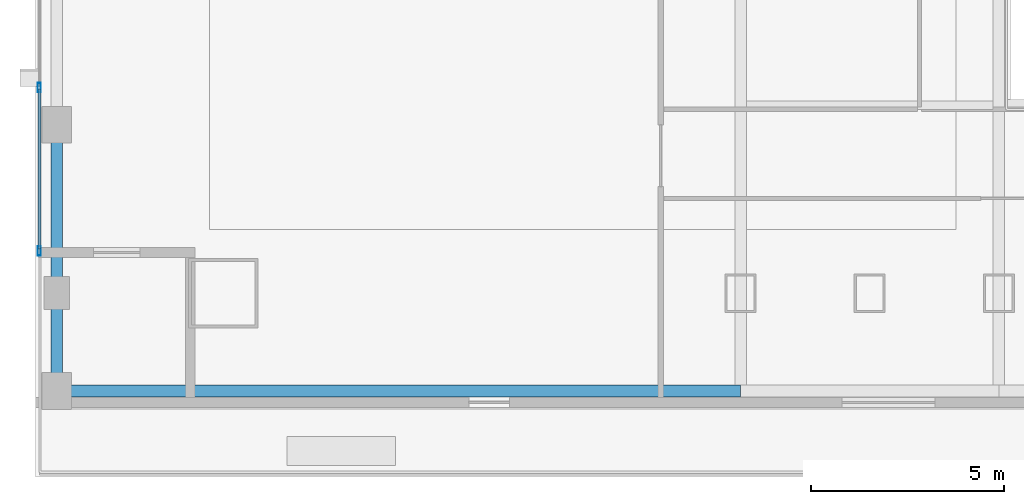
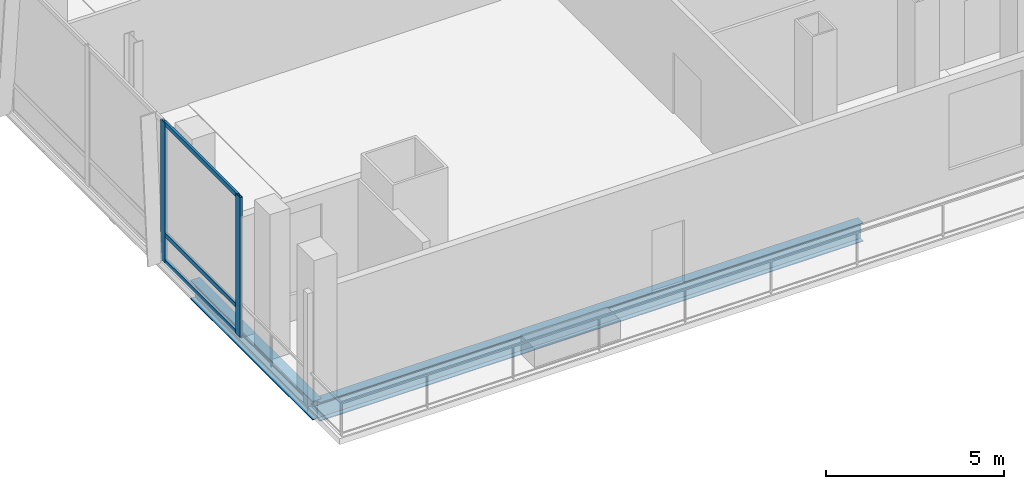
# One storey, part 5 of 25: 5 members, 2 beams, 1 element without a shape of its own.
"""IFC4 building model written with IfcOpenShell, lengths in metres."""

from ifc_helpers import new_model, si_unit, direction, frame, origin, origin_2d, place, context, subcontext, project, spatial, hollow_rectangle, i_section, extrude, material, material_profile, profile_set, type_object, element, aggregate, save


model = new_model("IFC4")

# Units and contexts
model_context = context("Model", 3, precision=1e-05, world=origin(), true_north=direction((0.0, 1.0)))
body_context = subcontext(model_context, "Body", "Model", "MODEL_VIEW")
ifc_project = project(units=[si_unit("LENGTHUNIT", "METRE"), si_unit("AREAUNIT", "SQUARE_METRE"), si_unit("VOLUMEUNIT", "CUBIC_METRE"), si_unit("PLANEANGLEUNIT", "RADIAN"), si_unit("MASSUNIT", "GRAM", prefix="KILO")], contexts=[model_context])

# Site, building, storey
site_placement = place(None, origin())
site = spatial("IfcSite", under=ifc_project, at=site_placement, CompositionType="ELEMENT")
building_placement = place(site_placement, origin())
building = spatial("IfcBuilding", under=site, at=building_placement, Name="Khoronbel Lancet Exchange", CompositionType="ELEMENT")
storey_placement = place(building_placement, frame((0.0, 0.0, 10.39990234375)))
storey = spatial("IfcBuildingStorey", under=building, at=storey_placement, Name="L02", CompositionType="ELEMENT", Elevation=10.39990234375)

# Beams
ifc_material_1 = material(Name="Steel S355", Category="steel")
ifc_material_profile_1 = material_profile(ifc_material_1, i_section(OverallWidth=0.300048828125, OverallDepth=0.64990234375, WebThickness=0.01611328125, FlangeThickness=0.031005859375, at=origin_2d()), Name="HEB 650")
ifc_profile_set_1 = profile_set([ifc_material_profile_1], Name="Steel S355")
beam_type = type_object("IfcBeamType", Name="BM-BSP1", PredefinedType="SPANDREL", material=ifc_profile_set_1)
beam_1_placement = place(storey_placement, frame((0.550048828125, 7.6201171875, -0.52490234375), z_axis=(1.0, 0.0, 0.0), x_axis=(0.0, 1.0, 0.0)))
element("IfcBeam", 1, at=beam_1_placement, inside=storey, type_object=beam_type, Name="Level L02 perimeter spandrel beam SP01", PredefinedType="SPANDREL", context=body_context, shape_type="SweptSolid", body=[
    extrude(i_section(OverallWidth=0.300048828125, OverallDepth=0.64990234375, WebThickness=0.01611328125, FlangeThickness=0.031005859375, at=origin_2d()), origin(), (0.0, 0.0, 1.0), 17.675048828125),
])
beam_2_placement = place(storey_placement, frame((0.550048828125, 14.5, -0.52490234375), z_axis=(0.0, -1.0, 0.0), x_axis=(1.0, 0.0, 0.0)))
element("IfcBeam", 2, at=beam_2_placement, inside=storey, type_object=beam_type, Name="Level L02 perimeter spandrel beam SP19", PredefinedType="SPANDREL", context=body_context, shape_type="SweptSolid", body=[
    extrude(i_section(OverallWidth=0.300048828125, OverallDepth=0.64990234375, WebThickness=0.01611328125, FlangeThickness=0.031005859375, at=origin_2d()), origin(), (0.0, 0.0, 1.0), 6.8798828125),
])

# Curtain wall, members
ifc_material_2 = material(Name="Low-E Solar Control Insulating Glass", Category="glass")
curtain_wall_type = type_object("IfcCurtainWallType", Name="CW-5", PredefinedType="NOTDEFINED", material=ifc_material_2)
curtain_wall_placement = place(storey_placement, origin())
curtain_wall = element("IfcCurtainWall", 3, at=curtain_wall_placement, inside=storey, type_object=curtain_wall_type, Name="Unitised curtain wall CW-L02-WEST", PredefinedType="NOTDEFINED")
ifc_material_3 = material(Name="Bronze-Anodised Aluminium 6063-T6", Category="aluminium")
ifc_material_profile_2 = material_profile(ifc_material_3, hollow_rectangle(XDim=0.0849609375, YDim=0.239990234375, WallThickness=0.006103515625, at=origin_2d()), Name="ALU MULLION 85x240")
ifc_profile_set_2 = profile_set([ifc_material_profile_2], Name="Bronze-Anodised Aluminium 6063-T6")
member_type_1 = type_object("IfcMemberType", Name="MEM-CWM1", PredefinedType="MULLION", material=ifc_profile_set_2)
member_1_placement = place(storey_placement, frame((0.10009765625, 15.466552734375, 0.0), z_axis=(0.0, 0.0, 1.0), x_axis=(1.0, 0.0, 0.0)))
member_1 = element("IfcMember", 4, at=member_1_placement, type_object=member_type_1, Name="CW5 mullion 9", PredefinedType="MULLION", context=body_context, shape_type="SweptSolid", body=[
    extrude(hollow_rectangle(XDim=0.0849609375, YDim=0.239990234375, WallThickness=0.006103515625, at=origin_2d()), origin(), (0.0, 0.0, 1.0), 4.800048828125),
])
member_2_placement = place(storey_placement, frame((0.10009765625, 11.242431640625, 0.0), z_axis=(0.0, 0.0, 1.0), x_axis=(1.0, 0.0, 0.0)))
member_2 = element("IfcMember", 5, at=member_2_placement, type_object=member_type_1, Name="CW5 mullion 10", PredefinedType="MULLION", context=body_context, shape_type="SweptSolid", body=[
    extrude(hollow_rectangle(XDim=0.0849609375, YDim=0.239990234375, WallThickness=0.006103515625, at=origin_2d()), origin(), (0.0, 0.0, 1.0), 4.800048828125),
])
ifc_material_profile_3 = material_profile(ifc_material_3, hollow_rectangle(XDim=0.074951171875, YDim=0.14990234375, WallThickness=0.00439453125, at=origin_2d()), Name="ALU TRANSOM 75x150")
ifc_profile_set_3 = profile_set([ifc_material_profile_3], Name="Bronze-Anodised Aluminium 6063-T6")
member_type_2 = type_object("IfcMemberType", Name="MEM-CWT2", PredefinedType="USERDEFINED", material=ifc_profile_set_3)
member_3_placement = place(storey_placement, frame((0.10009765625, 15.424072265625, 0.03759765625), z_axis=(0.0, -1.0, 0.0), x_axis=(1.0, 0.0, 0.0)))
member_3 = element("IfcMember", 6, at=member_3_placement, type_object=member_type_2, Name="CW5 transom 9.1", ObjectType="TRANSOM", PredefinedType="USERDEFINED", context=body_context, shape_type="SweptSolid", body=[
    extrude(hollow_rectangle(XDim=0.074951171875, YDim=0.14990234375, WallThickness=0.00439453125, at=origin_2d()), origin(), (0.0, 0.0, 1.0), 4.13916015625),
])
member_4_placement = place(storey_placement, frame((0.10009765625, 15.424072265625, 0.9501953125), z_axis=(0.0, -1.0, 0.0), x_axis=(1.0, 0.0, 0.0)))
member_4 = element("IfcMember", 7, at=member_4_placement, type_object=member_type_2, Name="CW5 transom 9.2", ObjectType="TRANSOM", PredefinedType="USERDEFINED", context=body_context, shape_type="SweptSolid", body=[
    extrude(hollow_rectangle(XDim=0.074951171875, YDim=0.14990234375, WallThickness=0.00439453125, at=origin_2d()), origin(), (0.0, 0.0, 1.0), 4.13916015625),
])
member_5_placement = place(storey_placement, frame((0.10009765625, 15.424072265625, 4.7626953125), z_axis=(0.0, -1.0, 0.0), x_axis=(1.0, 0.0, 0.0)))
member_5 = element("IfcMember", 8, at=member_5_placement, type_object=member_type_2, Name="CW5 transom 9.3", ObjectType="TRANSOM", PredefinedType="USERDEFINED", context=body_context, shape_type="SweptSolid", body=[
    extrude(hollow_rectangle(XDim=0.074951171875, YDim=0.14990234375, WallThickness=0.00439453125, at=origin_2d()), origin(), (0.0, 0.0, 1.0), 4.13916015625),
])
aggregate(curtain_wall, [member_1, member_2, member_3, member_4, member_5])

save(model, "model.ifc")
